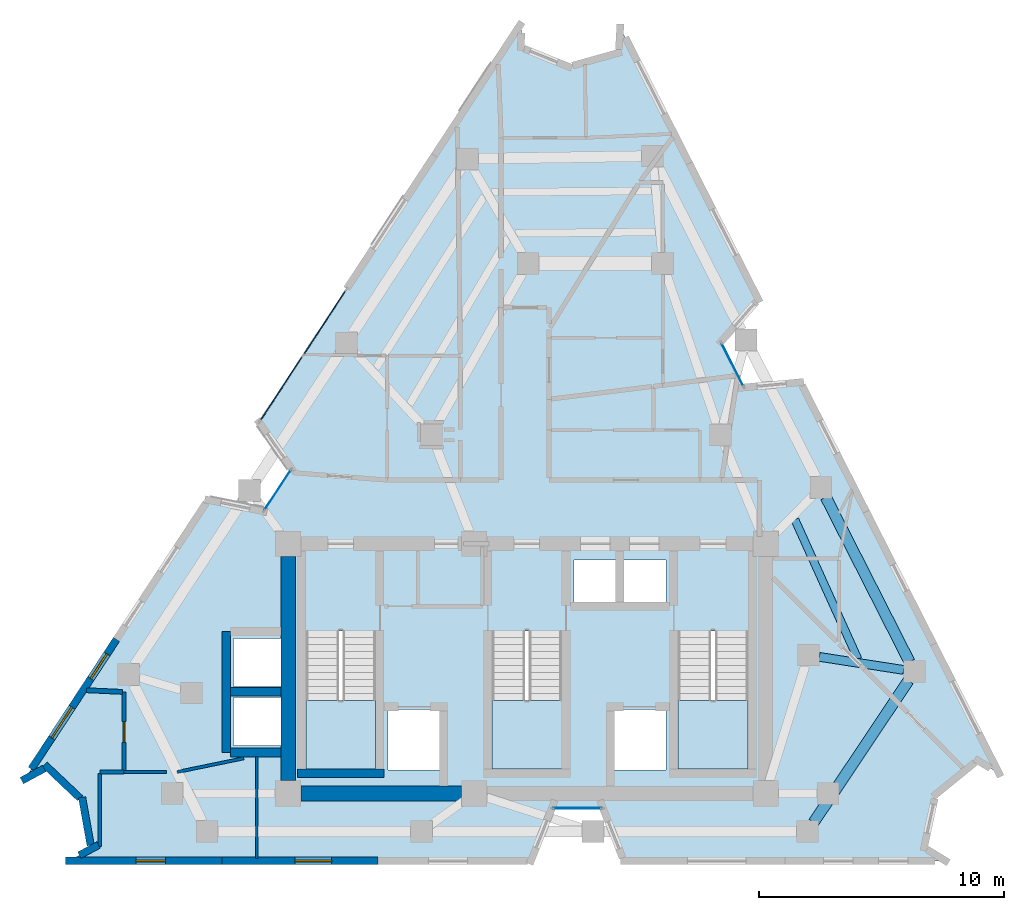
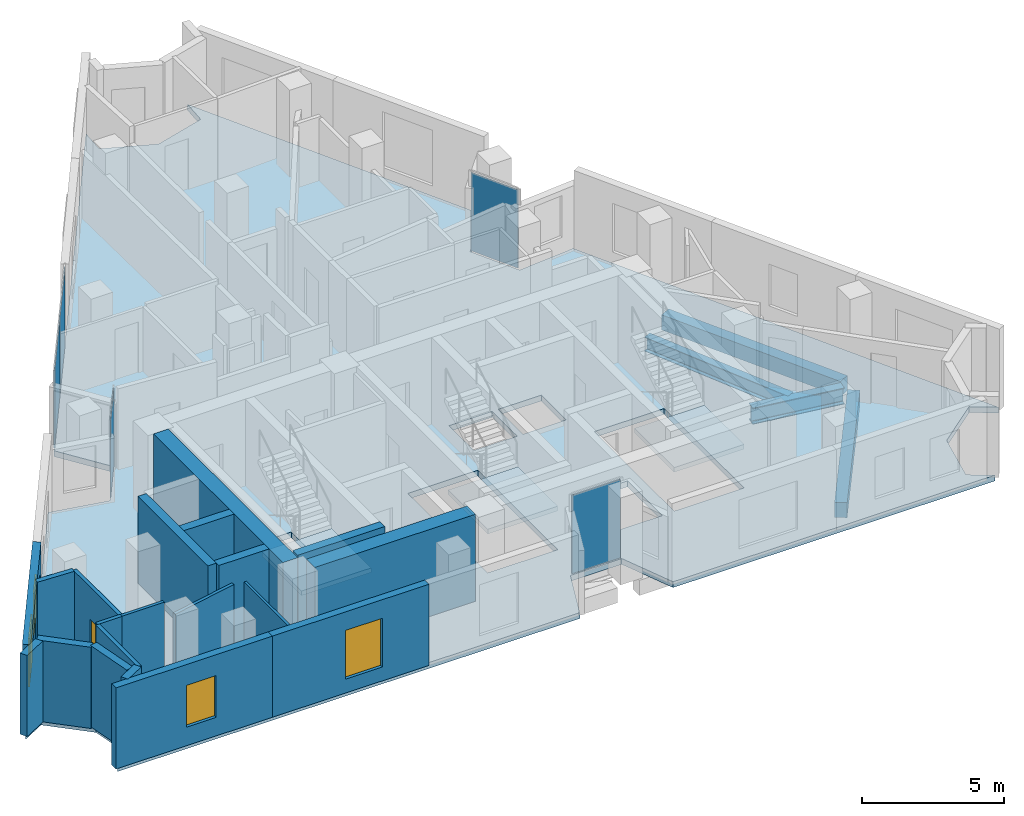
# One storey, part 4 of 9: 20 walls, 5 plates, 4 beams, 4 slabs, 4 windows, 1 door, 5 openings, 7 elements without a shape of their own.
"""IFC4 building model written with IfcOpenShell, lengths in metres."""

from ifc_helpers import new_model, si_unit, direction, frame, frame_2d, origin, origin_2d, place, context, subcontext, project, spatial, polyline, rectangle, i_section, outline, extrude, material, layer, layer_set, material_profile, profile_set, type_object, element, fill, aggregate, save


model = new_model("IFC4")

# Units and contexts
model_context = context("Model", 3, precision=1e-05, world=origin(), true_north=direction((0.0, 1.0)))
body_context = subcontext(model_context, "Body", "Model", "MODEL_VIEW")
ifc_project = project(units=[si_unit("LENGTHUNIT", "METRE"), si_unit("AREAUNIT", "SQUARE_METRE"), si_unit("VOLUMEUNIT", "CUBIC_METRE"), si_unit("PLANEANGLEUNIT", "RADIAN"), si_unit("MASSUNIT", "GRAM", prefix="KILO")], contexts=[model_context])

# Site, building, storey
site_placement = place(None, origin())
site = spatial("IfcSite", under=ifc_project, at=site_placement, CompositionType="ELEMENT")
building_placement = place(site_placement, origin())
building = spatial("IfcBuilding", under=site, at=building_placement, Name="Almagre Mirador Tower", CompositionType="ELEMENT")
storey_placement = place(building_placement, frame((0.0, 0.0, 244.5)))
storey = spatial("IfcBuildingStorey", under=building, at=storey_placement, Name="L63", CompositionType="ELEMENT", Elevation=244.5)

# Beams
ifc_material_1 = material(Name="Steel ASTM A992 Grade 50", Category="steel")
ifc_material_profile_1 = material_profile(ifc_material_1, i_section(OverallWidth=0.323974609375, OverallDepth=0.611083984375, WebThickness=0.0126953125, FlangeThickness=0.01904296875, FilletRadius=0.02001953125, at=origin_2d()), Name="W24X104")
ifc_profile_set_1 = profile_set([ifc_material_profile_1], Name="Steel ASTM A992 Grade 50")
beam_type_1 = type_object("IfcBeamType", Name="BM-JST-W24X104", PredefinedType="JOIST", material=ifc_profile_set_1)
beam_1_placement = place(storey_placement, frame((50.821533203125, 10.038330078125, -0.555419921875), z_axis=(-0.411985589516, 0.911190361029, 0.0), x_axis=(-0.911190361029, -0.411985589516, 0.0)))
element("IfcBeam", 1, at=beam_1_placement, inside=storey, type_object=beam_type_1, Name="L63 secondary floor joist PC05-PC06.2", PredefinedType="JOIST", context=body_context, shape_type="SweptSolid", body=[
    extrude(i_section(OverallWidth=0.323974609375, OverallDepth=0.611083984375, WebThickness=0.0126953125, FlangeThickness=0.01904296875, FilletRadius=0.02001953125, at=origin_2d()), origin(), (0.0, 0.0, 1.0), 6.247802734375),
])
ifc_material_2 = material(Name="Precast concrete C50/60", Category="concrete")
ifc_material_profile_2 = material_profile(ifc_material_2, rectangle(XDim=0.449951171875, YDim=0.64990234375, at=origin_2d()), Name="RC450X650")
ifc_profile_set_2 = profile_set([ifc_material_profile_2], Name="Precast concrete C50/60")
beam_type_2 = type_object("IfcBeamType", Name="BM-SPN-RC450X650", PredefinedType="SPANDREL", material=ifc_profile_set_2)
beam_2_placement = place(storey_placement, frame((49.01416015625, 3.3740234375, -0.574951171875), z_axis=(0.555688352968, 0.831390674939, 0.0), x_axis=(-0.831390674939, 0.555688352968, 0.0)))
element("IfcBeam", 2, at=beam_2_placement, inside=storey, type_object=beam_type_2, Name="L63 perimeter spandrel beam PC04-PC05", PredefinedType="SPANDREL", context=body_context, shape_type="SweptSolid", body=[
    extrude(rectangle(XDim=0.449951171875, YDim=0.64990234375, at=origin_2d()), origin(), (0.0, 0.0, 1.0), 6.953125),
])
beam_3_placement = place(storey_placement, frame((52.92431640625, 9.93017578125, -0.574951171875), z_axis=(-0.452920240804, 0.891551039184, 0.0), x_axis=(-0.891551039184, -0.452920240804, 0.0)))
element("IfcBeam", 3, at=beam_3_placement, inside=storey, type_object=beam_type_2, Name="L63 perimeter spandrel beam PC05-PC06", PredefinedType="SPANDREL", context=body_context, shape_type="SweptSolid", body=[
    extrude(rectangle(XDim=0.449951171875, YDim=0.64990234375, at=origin_2d()), origin(), (0.0, 0.0, 1.0), 7.53466796875),
])
ifc_material_3 = material(Name="Steel ASTM A992 Grade 50", Category="steel")
ifc_material_profile_3 = material_profile(ifc_material_3, i_section(OverallWidth=0.35791015625, OverallDepth=0.7060546875, WebThickness=0.018310546875, FlangeThickness=0.0302734375, FilletRadius=0.02197265625, at=origin_2d()), Name="W27X178")
ifc_profile_set_3 = profile_set([ifc_material_profile_3], Name="Steel ASTM A992 Grade 50")
beam_type_3 = type_object("IfcBeamType", Name="BM-STL-W27X178", PredefinedType="BEAM", material=ifc_profile_set_3)
beam_4_placement = place(storey_placement, frame((52.683349609375, 9.597900390625, -0.60302734375), z_axis=(-0.988190943166, 0.153227477449, 0.0), x_axis=(-0.153227477449, -0.988190943166, 0.0)))
element("IfcBeam", 4, at=beam_4_placement, inside=storey, type_object=beam_type_3, Name="L63 radial floor girder PC05-MC3", PredefinedType="BEAM", context=body_context, shape_type="SweptSolid", body=[
    extrude(i_section(OverallWidth=0.35791015625, OverallDepth=0.7060546875, WebThickness=0.018310546875, FlangeThickness=0.0302734375, FilletRadius=0.02197265625, at=origin_2d()), origin(), (0.0, 0.0, 1.0), 3.479736328125),
])

# Curtain wall, plate
ifc_material_4 = material(Name="Black anodized aluminium", Category="aluminium")
ifc_layer_1 = layer(ifc_material_4, 0.169921875)
ifc_layer_set_1 = layer_set([ifc_layer_1], Name="Black anodized aluminium")
curtain_wall_type_1 = type_object("IfcCurtainWallType", Name="CW-CRS-SYS", PredefinedType="NOTDEFINED", material=ifc_layer_set_1)
curtain_wall_1_placement = place(storey_placement, origin())
curtain_wall_1 = element("IfcCurtainWall", 5, at=curtain_wall_1_placement, inside=storey, type_object=curtain_wall_type_1, Name="L63 vertical crease curtain wall 01", PredefinedType="NOTDEFINED")
ifc_material_5 = material(Name="Dark solar-control laminated hurricane glass", Category="glass")
ifc_layer_2 = layer(ifc_material_5, 0.028076171875)
ifc_layer_set_2 = layer_set([ifc_layer_2], Name="Dark solar-control laminated hurricane glass")
plate_type_1 = type_object("IfcPlateType", Name="PLT-GLZ-28", PredefinedType="CURTAIN_PANEL", material=ifc_layer_set_2)
plate_1_placement = place(storey_placement, frame((27.12255859375, 16.946533203125, 0.06005859375), z_axis=(0.0, 0.0, 1.0), x_axis=(0.548834109267, 0.835931289344, 0.0)))
plate_1 = element("IfcPlate", 6, at=plate_1_placement, type_object=plate_type_1, Name="CW-4 panel 1.1", PredefinedType="CURTAIN_PANEL", context=body_context, shape_type="SweptSolid", body=[
    extrude(rectangle(XDim=1.969970703125, YDim=0.028076171875, at=origin_2d()), origin(), (0.0, 0.0, 1.0), 3.3798828125),
])
aggregate(curtain_wall_1, [plate_1])

curtain_wall_2_placement = place(storey_placement, origin())
curtain_wall_2 = element("IfcCurtainWall", 7, at=curtain_wall_2_placement, inside=storey, type_object=curtain_wall_type_1, Name="L63 vertical crease curtain wall 03", PredefinedType="NOTDEFINED")
plate_2_placement = place(storey_placement, frame((45.695068359375, 22.0634765625, 0.06005859375), z_axis=(0.0, 0.0, 1.0), x_axis=(0.452756754504, -0.891634073626, 0.0)))
plate_2 = element("IfcPlate", 8, at=plate_2_placement, type_object=plate_type_1, Name="CW-4 panel 1.1", PredefinedType="CURTAIN_PANEL", context=body_context, shape_type="SweptSolid", body=[
    extrude(rectangle(XDim=1.969482421875, YDim=0.028076171875, at=origin_2d()), origin(), (0.0, 0.0, 1.0), 3.3798828125),
])
aggregate(curtain_wall_2, [plate_2])

curtain_wall_3_placement = place(storey_placement, origin())
curtain_wall_3 = element("IfcCurtainWall", 9, at=curtain_wall_3_placement, inside=storey, type_object=curtain_wall_type_1, Name="L63 vertical crease curtain wall 04", PredefinedType="NOTDEFINED")
plate_3_placement = place(storey_placement, frame((39.364013671875, 3.949951171875, 0.06005859375), z_axis=(0.0, 0.0, 1.0), x_axis=(-1.0, 0.0, 0.0)))
plate_3 = element("IfcPlate", 10, at=plate_3_placement, type_object=plate_type_1, Name="CW-4 panel 1.1", PredefinedType="CURTAIN_PANEL", context=body_context, shape_type="SweptSolid", body=[
    extrude(rectangle(XDim=1.969970703125, YDim=0.028076171875, at=origin_2d()), origin(), (0.0, 0.0, 1.0), 3.3798828125),
])
aggregate(curtain_wall_3, [plate_3])

# Curtain wall, plates
ifc_material_6 = material(Name="Black anodized aluminium", Category="aluminium")
ifc_layer_3 = layer(ifc_material_6, 0.199951171875)
ifc_layer_set_3 = layer_set([ifc_layer_3], Name="Black anodized aluminium")
curtain_wall_type_2 = type_object("IfcCurtainWallType", Name="CW-RES-H-SYS", PredefinedType="NOTDEFINED", material=ifc_layer_set_3)
curtain_wall_4_placement = place(storey_placement, origin())
curtain_wall_4 = element("IfcCurtainWall", 11, at=curtain_wall_4_placement, inside=storey, type_object=curtain_wall_type_2, Name="L63 curtain wall run 02", PredefinedType="NOTDEFINED")
ifc_material_7 = material(Name="Dark solar-control laminated hurricane glass", Category="glass")
ifc_layer_4 = layer(ifc_material_7, 0.035888671875)
ifc_layer_set_4 = layer_set([ifc_layer_4], Name="Dark solar-control laminated hurricane glass")
plate_type_2 = type_object("IfcPlateType", Name="PLT-GLZ-36", PredefinedType="CURTAIN_PANEL", material=ifc_layer_set_4)
plate_4_placement = place(storey_placement, frame((27.2724609375, 21.09033203125, 0.06494140625), z_axis=(0.0, 0.0, 1.0), x_axis=(0.54903275469, 0.835800834097, 0.0)))
plate_4 = element("IfcPlate", 12, at=plate_4_placement, type_object=plate_type_2, Name="CW-3 panel 1.1", PredefinedType="CURTAIN_PANEL", context=body_context, shape_type="SweptSolid", body=[
    extrude(rectangle(XDim=3.1611328125, YDim=0.035888671875, at=origin_2d()), origin(), (0.0, 0.0, 1.0), 3.3701171875),
])
plate_5_placement = place(storey_placement, frame((29.043701171875, 23.786865234375, 0.06494140625), z_axis=(0.0, 0.0, 1.0), x_axis=(0.54903275469, 0.835800834097, 0.0)))
plate_5 = element("IfcPlate", 13, at=plate_5_placement, type_object=plate_type_2, Name="CW-3 panel 2.1", PredefinedType="CURTAIN_PANEL", context=body_context, shape_type="SweptSolid", body=[
    extrude(rectangle(XDim=3.1611328125, YDim=0.035888671875, at=origin_2d()), origin(), (0.0, 0.0, 1.0), 3.3701171875),
])
aggregate(curtain_wall_4, [plate_4, plate_5])

# Slab
ifc_material_8 = material(Name="Concrete C45/55", Category="concrete")
ifc_layer_5 = layer(ifc_material_8, 0.25)
ifc_layer_set_5 = layer_set([ifc_layer_5], Name="Concrete C45/55")
slab_type_1 = type_object("IfcSlabType", Name="SLB-FLR-250", PredefinedType="FLOOR", material=ifc_layer_set_5)
slab_1_placement = place(storey_placement, frame((0.0, 0.0, -0.25)))
element("IfcSlab", 14, at=slab_1_placement, inside=storey, type_object=slab_type_1, Name="L63 structural floor slab", PredefinedType="FLOOR", context=body_context, shape_type="SweptSolid", body=[
    extrude(outline(polyline([(16.7958984375, 5.14306640625), (17.70703125, 5.635009765625), (19.158935546875, 4.260009765625), (19.510986328125, 2.291015625), (18.60009765625, 1.800048828125), (37.464111328125, 1.800048828125), (38.319091796875, 3.949951171875), (40.408935546875, 3.949951171875), (41.263916015625, 1.800048828125), (54.39990234375, 1.800048828125), (53.51806640625, 2.341064453125), (53.985107421875, 4.509033203125), (55.7060546875, 5.907958984375), (56.587890625, 5.365966796875), (48.471923828125, 21.343017578125), (46.16796875, 21.132080078125), (45.221923828125, 22.9951171875), (46.7509765625, 24.73095703125), (41.112060546875, 35.833984375), (41.053955078125, 34.800048828125), (39.011962890625, 34.22802734375), (37.0458984375, 35.02294921875), (37.10400390625, 36.056884765625), (26.368896484375, 19.715087890625), (27.696044921875, 17.820068359375), (26.549072265625, 16.072998046875), (24.281982421875, 16.5390625), (16.7958984375, 5.14306640625)]), holes=[polyline([(43.47509765625, 5.550048828125), (43.47509765625, 11.196044921875), (46.324951171875, 11.196044921875), (46.324951171875, 5.550048828125), (43.47509765625, 5.550048828125)]), polyline([(41.219970703125, 12.320068359375), (41.219970703125, 14.080078125), (42.97998046875, 14.080078125), (42.97998046875, 12.320068359375), (41.219970703125, 12.320068359375)]), polyline([(42.97998046875, 5.52001953125), (40.820068359375, 5.52001953125), (40.820068359375, 7.97998046875), (42.97998046875, 7.97998046875), (42.97998046875, 5.52001953125)]), polyline([(39.219970703125, 12.320068359375), (39.219970703125, 14.080078125), (40.97998046875, 14.080078125), (40.97998046875, 12.320068359375), (39.219970703125, 12.320068359375)]), polyline([(35.875, 5.550048828125), (35.875, 11.196044921875), (38.72509765625, 11.196044921875), (38.72509765625, 5.550048828125), (35.875, 5.550048828125)]), polyline([(33.780029296875, 5.52001953125), (31.6201171875, 5.52001953125), (31.6201171875, 7.97998046875), (33.780029296875, 7.97998046875), (33.780029296875, 5.52001953125)]), polyline([(28.27490234375, 5.550048828125), (28.27490234375, 11.196044921875), (31.125, 11.196044921875), (31.125, 5.550048828125), (28.27490234375, 5.550048828125)]), polyline([(27.3798828125, 6.52001953125), (25.320068359375, 6.52001953125), (25.320068359375, 8.47998046875), (27.3798828125, 8.47998046875), (27.3798828125, 6.52001953125)]), polyline([(27.3798828125, 8.919921875), (25.320068359375, 8.919921875), (25.320068359375, 10.8798828125), (27.3798828125, 10.8798828125), (27.3798828125, 8.919921875)])]), origin(), (0.0, 0.0, 1.0), 0.25),
])

# Stair, slab
ifc_material_9 = material(Name="Concrete C45/55", Category="concrete")
stair_type = type_object("IfcStairType", Name="STR-DL-3750", PredefinedType="HALF_TURN_STAIR", material=ifc_material_9)
stair_1_placement = place(storey_placement, origin())
stair_1 = element("IfcStair", 15, at=stair_1_placement, inside=storey, type_object=stair_type, Name="L63 Protected exit stair ST-1", PredefinedType="HALF_TURN_STAIR")
ifc_material_10 = material(Name="Concrete C45/55", Category="concrete")
ifc_layer_6 = layer(ifc_material_10, 0.199951171875)
ifc_layer_set_6 = layer_set([ifc_layer_6], Name="Concrete C45/55")
slab_type_2 = type_object("IfcSlabType", Name="SLB-LND-200", PredefinedType="LANDING", material=ifc_layer_set_6)
slab_2_placement = place(storey_placement, frame((0.0, 0.0, 1.675048828125)))
slab_2 = element("IfcSlab", 16, at=slab_2_placement, type_object=slab_type_2, Name="ST-1 landing 1", PredefinedType="LANDING", context=body_context, shape_type="SweptSolid", body=[
    extrude(outline(polyline([(28.27490234375, 8.35009765625), (28.27490234375, 5.550048828125), (31.125, 5.550048828125), (31.125, 8.35009765625), (28.27490234375, 8.35009765625)])), origin(), (0.0, 0.0, 1.0), 0.199951171875),
])
aggregate(stair_1, [slab_2])

stair_2_placement = place(storey_placement, origin())
stair_2 = element("IfcStair", 17, at=stair_2_placement, inside=storey, type_object=stair_type, Name="L63 Protected exit stair ST-2", PredefinedType="HALF_TURN_STAIR")
slab_3_placement = place(storey_placement, frame((0.0, 0.0, 1.675048828125)))
slab_3 = element("IfcSlab", 18, at=slab_3_placement, type_object=slab_type_2, Name="ST-2 landing 1", PredefinedType="LANDING", context=body_context, shape_type="SweptSolid", body=[
    extrude(outline(polyline([(35.875, 8.35009765625), (35.875, 5.550048828125), (38.72509765625, 5.550048828125), (38.72509765625, 8.35009765625), (35.875, 8.35009765625)])), origin(), (0.0, 0.0, 1.0), 0.199951171875),
])
aggregate(stair_2, [slab_3])

stair_3_placement = place(storey_placement, origin())
stair_3 = element("IfcStair", 19, at=stair_3_placement, inside=storey, type_object=stair_type, Name="L63 Protected exit stair ST-3", PredefinedType="HALF_TURN_STAIR")
slab_4_placement = place(storey_placement, frame((0.0, 0.0, 1.675048828125)))
slab_4 = element("IfcSlab", 20, at=slab_4_placement, type_object=slab_type_2, Name="ST-3 landing 1", PredefinedType="LANDING", context=body_context, shape_type="SweptSolid", body=[
    extrude(outline(polyline([(43.47509765625, 8.35009765625), (43.47509765625, 5.550048828125), (46.324951171875, 5.550048828125), (46.324951171875, 8.35009765625), (43.47509765625, 8.35009765625)])), origin(), (0.0, 0.0, 1.0), 0.199951171875),
])
aggregate(stair_3, [slab_4])

# Wall, opening, window
ifc_material_11 = material(Name="Precast concrete C50/60", Category="concrete")
ifc_layer_7 = layer(ifc_material_11, 0.300048828125)
ifc_layer_set_7 = layer_set([ifc_layer_7], Name="Precast concrete C50/60")
wall_type_1 = type_object("IfcWallType", Name="WAL-EXT-300", PredefinedType="SOLIDWALL", material=ifc_layer_set_7)
wall_1_placement = place(storey_placement, frame((31.22265625, 1.800048828125, 0.0), z_axis=(0.0, 0.0, 1.0), x_axis=(-1.0, 0.0, 0.0)))
wall_1 = element("IfcWall", 21, at=wall_1_placement, inside=storey, type_object=wall_type_1, Name="L63 expressed almagre precast frame wall 25", PredefinedType="SOLIDWALL", context=body_context, shape_type="SweptSolid", body=[
    extrude(rectangle(XDim=6.38134765625, YDim=0.300048828125, at=frame_2d((3.190673828125, 0.0))), origin(), (0.0, 0.0, 1.0), 3.5),
])
opening_1_placement = place(wall_1_placement, frame((1.89990234375, 0.0, 0.60009765625)))
opening_1 = element("IfcOpeningElement", 22, at=opening_1_placement, cuts=wall_1, Name="Opening WN-03", PredefinedType="OPENING", context=body_context, shape_type="SweptSolid", body=[
    extrude(rectangle(XDim=1.5, YDim=2.10009765625, at=frame_2d((0.75, 1.050048828125))), frame((0.0, 0.159902, 0.0), z_axis=(0.0, -1.0, 0.0), x_axis=(1.0, 0.0, 0.0)), (0.0, 0.0, 1.0), 0.320049),
])
ifc_material_12 = material(Name="Dark solar-control laminated hurricane glass", Category="glass")
window_type_1 = type_object("IfcWindowType", Name="WIN-1500X2100", PartitioningType="DOUBLE_PANEL_VERTICAL", PredefinedType="WINDOW", material=ifc_material_12)
window_1_placement = place(opening_1_placement, origin())
window_1 = element("IfcWindow", 23, at=window_1_placement, inside=storey, type_object=window_type_1, Name="L63 recessed hurricane window L63-UA-MB", OverallHeight=2.10009765625, OverallWidth=1.5, PartitioningType="SINGLE_PANEL", PredefinedType="WINDOW", context=body_context, shape_type="SweptSolid", body=[
    extrude(rectangle(XDim=1.5, YDim=2.10009765625, at=frame_2d((0.75, 1.050048828125))), frame((0.0, 0.030029296875, 0.0), z_axis=(0.0, -1.0, 0.0), x_axis=(1.0, 0.0, 0.0)), (0.0, 0.0, 1.0), 0.06005859375),
])
fill(opening_1, window_1)

wall_2_placement = place(storey_placement, frame((24.84130859375, 1.800048828125, 0.0), z_axis=(0.0, 0.0, 1.0), x_axis=(-1.0, 0.0, 0.0)))
wall_2 = element("IfcWall", 24, at=wall_2_placement, inside=storey, type_object=wall_type_1, Name="L63 expressed almagre precast frame wall 26", PredefinedType="SOLIDWALL", context=body_context, shape_type="SweptSolid", body=[
    extrude(rectangle(XDim=6.38134765625, YDim=0.300048828125, at=frame_2d((3.190673828125, 0.0))), origin(), (0.0, 0.0, 1.0), 3.5),
])
opening_2_placement = place(wall_2_placement, frame((2.300048828125, 0.0, 0.800048828125)))
opening_2 = element("IfcOpeningElement", 25, at=opening_2_placement, cuts=wall_2, Name="Opening WN-04", PredefinedType="OPENING", context=body_context, shape_type="SweptSolid", body=[
    extrude(rectangle(XDim=1.199951171875, YDim=1.800048828125, at=frame_2d((0.60009765625, 0.89990234375))), frame((0.0, 0.159902, 0.0), z_axis=(0.0, -1.0, 0.0), x_axis=(1.0, 0.0, 0.0)), (0.0, 0.0, 1.0), 0.320049),
])
ifc_material_13 = material(Name="Dark solar-control laminated hurricane glass", Category="glass")
window_type_2 = type_object("IfcWindowType", Name="WIN-1200X1800", PartitioningType="SINGLE_PANEL", PredefinedType="WINDOW", material=ifc_material_13)
window_2_placement = place(opening_2_placement, origin())
window_2 = element("IfcWindow", 26, at=window_2_placement, inside=storey, type_object=window_type_2, Name="L63 recessed hurricane window L63-UA-LV", OverallHeight=1.800048828125, OverallWidth=1.199951171875, PartitioningType="SINGLE_PANEL", PredefinedType="WINDOW", context=body_context, shape_type="SweptSolid", body=[
    extrude(rectangle(XDim=1.199951171875, YDim=1.800048828125, at=frame_2d((0.60009765625, 0.89990234375))), frame((0.0, 0.030029296875, 0.0), z_axis=(0.0, -1.0, 0.0), x_axis=(1.0, 0.0, 0.0)), (0.0, 0.0, 1.0), 0.06005859375),
])
fill(opening_2, window_2)

# Walls
wall_3_placement = place(storey_placement, frame((19.027099609375, 2.030029296875, 0.0), z_axis=(0.0, 0.0, 1.0), x_axis=(0.880197238834, 0.474608070674, 0.0)))
element("IfcWall", 27, at=wall_3_placement, inside=storey, type_object=wall_type_1, Name="L63 expressed almagre precast frame wall 27", PredefinedType="SOLIDWALL", context=body_context, shape_type="SweptSolid", body=[
    extrude(rectangle(XDim=0.887939453125, YDim=0.300048828125, at=frame_2d((0.44384765625, 0.0))), origin(), (0.0, 0.0, 1.0), 3.5),
])
wall_4_placement = place(storey_placement, frame((19.484619140625, 2.438720703125, 0.0), z_axis=(0.0, 0.0, 1.0), x_axis=(-0.175926512458, 0.984403302623, 0.0)))
element("IfcWall", 28, at=wall_4_placement, inside=storey, type_object=wall_type_1, Name="L63 expressed almagre precast frame wall 28", PredefinedType="SOLIDWALL", context=body_context, shape_type="SweptSolid", body=[
    extrude(rectangle(XDim=1.989990234375, YDim=0.300048828125, at=frame_2d((0.9951171875, 0.0))), origin(), (0.0, 0.0, 1.0), 3.5),
])
wall_5_placement = place(storey_placement, frame((19.0537109375, 4.359619140625, 0.0), z_axis=(0.0, 0.0, 1.0), x_axis=(-0.726119894398, 0.68756810496, 0.0)))
element("IfcWall", 29, at=wall_5_placement, inside=storey, type_object=wall_type_1, Name="L63 expressed almagre precast frame wall 29", PredefinedType="SOLIDWALL", context=body_context, shape_type="SweptSolid", body=[
    extrude(rectangle(XDim=1.994873046875, YDim=0.300048828125, at=frame_2d((0.99755859375, 0.0))), origin(), (0.0, 0.0, 1.0), 3.5),
])
wall_6_placement = place(storey_placement, frame((17.592529296875, 5.5732421875, 0.0), z_axis=(0.0, 0.0, 1.0), x_axis=(-0.879825313212, -0.475297189378, 0.0)))
element("IfcWall", 30, at=wall_6_placement, inside=storey, type_object=wall_type_1, Name="L63 expressed almagre precast frame wall 30", PredefinedType="SOLIDWALL", context=body_context, shape_type="SweptSolid", body=[
    extrude(rectangle(XDim=1.04541015625, YDim=0.300048828125, at=frame_2d((0.522705078125, 0.0))), origin(), (0.0, 0.0, 1.0), 3.5),
])

# Wall, openings, windows
wall_7_placement = place(storey_placement, frame((17.06494140625, 5.552490234375, 0.0), z_axis=(0.0, 0.0, 1.0), x_axis=(0.54904237545, 0.835794514196, 0.0)))
wall_7 = element("IfcWall", 31, at=wall_7_placement, inside=storey, type_object=wall_type_1, Name="L63 expressed almagre precast frame wall 31", PredefinedType="SOLIDWALL", context=body_context, shape_type="SweptSolid", body=[
    extrude(rectangle(XDim=6.32763671875, YDim=0.300048828125, at=frame_2d((3.163818359375, 0.0))), origin(), (0.0, 0.0, 1.0), 3.5),
])
opening_3_placement = place(wall_7_placement, frame((1.52001953125, 0.0, 0.60009765625)))
opening_3 = element("IfcOpeningElement", 32, at=opening_3_placement, cuts=wall_7, Name="Opening WN-03", PredefinedType="OPENING", context=body_context, shape_type="SweptSolid", body=[
    extrude(rectangle(XDim=1.5, YDim=2.10009765625, at=frame_2d((0.75, 1.050048828125))), frame((0.0, 0.159902, 0.0), z_axis=(0.0, -1.0, 0.0), x_axis=(1.0, 0.0, 0.0)), (0.0, 0.0, 1.0), 0.320049),
])
opening_4_placement = place(wall_7_placement, frame((4.419921875, 0.0, 0.800048828125)))
opening_4 = element("IfcOpeningElement", 33, at=opening_4_placement, cuts=wall_7, Name="Opening WN-04", PredefinedType="OPENING", context=body_context, shape_type="SweptSolid", body=[
    extrude(rectangle(XDim=1.199951171875, YDim=1.800048828125, at=frame_2d((0.60009765625, 0.89990234375))), frame((0.0, 0.159902, 0.0), z_axis=(0.0, -1.0, 0.0), x_axis=(1.0, 0.0, 0.0)), (0.0, 0.0, 1.0), 0.320049),
])
window_3_placement = place(opening_4_placement, origin())
window_3 = element("IfcWindow", 34, at=window_3_placement, inside=storey, type_object=window_type_2, Name="L63 recessed hurricane window L63-UD-KT", OverallHeight=1.800048828125, OverallWidth=1.199951171875, PartitioningType="SINGLE_PANEL", PredefinedType="WINDOW", context=body_context, shape_type="SweptSolid", body=[
    extrude(rectangle(XDim=1.199951171875, YDim=1.800048828125, at=frame_2d((0.60009765625, 0.89990234375))), frame((0.0, 0.030029296875, 0.0), z_axis=(0.0, -1.0, 0.0), x_axis=(1.0, 0.0, 0.0)), (0.0, 0.0, 1.0), 0.06005859375),
])
fill(opening_4, window_3)
window_4_placement = place(opening_3_placement, origin())
window_4 = element("IfcWindow", 35, at=window_4_placement, inside=storey, type_object=window_type_1, Name="L63 recessed hurricane window L63-UA-HB", OverallHeight=2.10009765625, OverallWidth=1.5, PartitioningType="SINGLE_PANEL", PredefinedType="WINDOW", context=body_context, shape_type="SweptSolid", body=[
    extrude(rectangle(XDim=1.5, YDim=2.10009765625, at=frame_2d((0.75, 1.050048828125))), frame((0.0, 0.030029296875, 0.0), z_axis=(0.0, -1.0, 0.0), x_axis=(1.0, 0.0, 0.0)), (0.0, 0.0, 1.0), 0.06005859375),
])
fill(opening_3, window_4)

# Walls
ifc_material_14 = material(Name="Gypsum acoustic stud partition", Category="other")
ifc_layer_8 = layer(ifc_material_14, 0.10009765625)
ifc_layer_set_8 = layer_set([ifc_layer_8], Name="Gypsum acoustic stud partition")
wall_type_2 = type_object("IfcWallType", Name="WAL-PRT-100-CLS", PredefinedType="PARTITIONING", material=ifc_layer_set_8)
wall_8_placement = place(storey_placement, frame((26.27001953125, 1.89990234375, 0.0), z_axis=(0.0, 0.0, 1.0), x_axis=(0.0, 1.0, 0.0)))
element("IfcWall", 36, at=wall_8_placement, inside=storey, type_object=wall_type_2, Name="L63 interior partition 020", PredefinedType="PARTITIONING", context=body_context, shape_type="SweptSolid", body=[
    extrude(rectangle(XDim=4.1650390625, YDim=0.10009765625, at=frame_2d((2.08251953125, 0.0))), origin(), (0.0, 0.0, 1.0), 2.68505859375),
])
ifc_material_15 = material(Name="Gypsum acoustic stud partition", Category="other")
ifc_layer_9 = layer(ifc_material_15, 0.125)
ifc_layer_set_9 = layer_set([ifc_layer_9], Name="Gypsum acoustic stud partition")
wall_type_3 = type_object("IfcWallType", Name="WAL-PRT-125-UTL", PredefinedType="PARTITIONING", material=ifc_layer_set_9)
wall_9_placement = place(storey_placement, frame((22.580078125, 5.429931640625, 0.0), z_axis=(0.0, 0.0, 1.0), x_axis=(-1.0, 0.0, 0.0)))
element("IfcWall", 37, at=wall_9_placement, inside=storey, type_object=wall_type_3, Name="L63 interior partition 018", PredefinedType="PARTITIONING", context=body_context, shape_type="SweptSolid", body=[
    extrude(rectangle(XDim=1.72998046875, YDim=0.125, at=frame_2d((0.864990234375, 0.0))), origin(), (0.0, 0.0, 1.0), 3.5),
])
wall_10_placement = place(storey_placement, frame((25.736083984375, 5.989990234375, 0.0), z_axis=(0.0, 0.0, 1.0), x_axis=(-0.979395116574, -0.201953473926, 0.0)))
element("IfcWall", 38, at=wall_10_placement, inside=storey, type_object=wall_type_3, Name="L63 interior partition 019", PredefinedType="PARTITIONING", context=body_context, shape_type="SweptSolid", body=[
    extrude(rectangle(XDim=2.773193359375, YDim=0.125, at=frame_2d((1.38671875, 0.0))), origin(), (0.0, 0.0, 1.0), 2.820068359375),
])
ifc_material_16 = material(Name="Gypsum acoustic stud partition", Category="other")
ifc_layer_10 = layer(ifc_material_16, 0.14990234375)
ifc_layer_set_10 = layer_set([ifc_layer_10], Name="Gypsum acoustic stud partition")
wall_type_4 = type_object("IfcWallType", Name="WAL-PRT-150-STD", PredefinedType="PARTITIONING", material=ifc_layer_set_10)
wall_11_placement = place(storey_placement, frame((20.85009765625, 5.429931640625, 0.0), z_axis=(0.0, 0.0, 1.0), x_axis=(-1.0, 0.0, 0.0)))
element("IfcWall", 39, at=wall_11_placement, inside=storey, type_object=wall_type_4, Name="L63 interior partition 016", PredefinedType="PARTITIONING", context=body_context, shape_type="SweptSolid", body=[
    extrude(rectangle(XDim=0.989990234375, YDim=0.14990234375, at=frame_2d((0.4951171875, 0.0))), origin(), (0.0, 0.0, 1.0), 3.5),
])
wall_12_placement = place(storey_placement, frame((19.860107421875, 5.3701171875, 0.0), z_axis=(0.0, 0.0, 1.0), x_axis=(-0.002700702157, -0.999996353097, 0.0)))
element("IfcWall", 40, at=wall_12_placement, inside=storey, type_object=wall_type_4, Name="L63 interior partition 017", PredefinedType="PARTITIONING", context=body_context, shape_type="SweptSolid", body=[
    extrude(rectangle(XDim=2.983154296875, YDim=0.14990234375, at=frame_2d((1.49169921875, 0.0))), origin(), (0.0, 0.0, 1.0), 3.5),
])

# Wall, opening, door
wall_13_placement = place(storey_placement, frame((20.85009765625, 5.489990234375, 0.0), z_axis=(0.0, 0.0, 1.0), x_axis=(0.0, 1.0, 0.0)))
wall_13 = element("IfcWall", 41, at=wall_13_placement, inside=storey, type_object=wall_type_4, Name="L63 interior partition 021", PredefinedType="PARTITIONING", context=body_context, shape_type="SweptSolid", body=[
    extrude(rectangle(XDim=3.2099609375, YDim=0.14990234375, at=frame_2d((1.60498046875, 0.0))), origin(), (0.0, 0.0, 1.0), 3.5),
])
opening_5_placement = place(wall_13_placement, frame((1.14990234375, 0.0, 0.0)))
opening_5 = element("IfcOpeningElement", 42, at=opening_5_placement, cuts=wall_13, Name="Opening UD-04", PredefinedType="OPENING", context=body_context, shape_type="SweptSolid", body=[
    extrude(rectangle(XDim=0.85009765625, YDim=2.10009765625, at=frame_2d((0.425048828125, 1.050048828125))), frame((0.0, 0.084951, 0.0), z_axis=(0.0, -1.0, 0.0), x_axis=(1.0, 0.0, 0.0)), (0.0, 0.0, 1.0), 0.169902),
])
ifc_material_17 = material(Name="Moisture-resistant oak timber", Category="wood")
door_type = type_object("IfcDoorType", Name="DOR-UNR-850X2100", OperationType="NOTDEFINED", PredefinedType="DOOR", material=ifc_material_17)
door_placement = place(opening_5_placement, origin())
door = element("IfcDoor", 43, at=door_placement, inside=storey, type_object=door_type, Name="DR-1940 L63 interior door L63-UA-HB to L63-UA-KT", OperationType="SINGLE_SWING_RIGHT", OverallHeight=2.10009765625, OverallWidth=0.85009765625, PredefinedType="DOOR", context=body_context, shape_type="SweptSolid", body=[
    extrude(rectangle(XDim=0.85009765625, YDim=2.10009765625, at=frame_2d((0.425048828125, 1.050048828125))), frame((0.0, 0.02490234375, 0.0), z_axis=(0.0, -1.0, 0.0), x_axis=(1.0, 0.0, 0.0)), (0.0, 0.0, 1.0), 0.050048828125),
])
fill(opening_5, door)

# Walls
ifc_material_18 = material(Name="Gypsum acoustic stud partition", Category="other")
ifc_layer_11 = layer(ifc_material_18, 0.199951171875)
ifc_layer_set_11 = layer_set([ifc_layer_11], Name="Gypsum acoustic stud partition")
wall_type_5 = type_object("IfcWallType", Name="WAL-PRT-200-EI60", PredefinedType="PARTITIONING", material=ifc_layer_set_11)
wall_14_placement = place(storey_placement, frame((20.7900390625, 8.700927734375, 0.0), z_axis=(0.0, 0.0, 1.0), x_axis=(-0.99892954963, 0.046257484539, 0.0)))
element("IfcWall", 44, at=wall_14_placement, inside=storey, type_object=wall_type_5, Name="L63 interior partition 022", PredefinedType="PARTITIONING", context=body_context, shape_type="SweptSolid", body=[
    extrude(rectangle(XDim=1.472412109375, YDim=0.199951171875, at=frame_2d((0.736328125, 0.0))), origin(), (0.0, 0.0, 1.0), 3.5),
])
ifc_material_19 = material(Name="Concrete C60/75", Category="concrete")
ifc_layer_12 = layer(ifc_material_19, 0.35009765625)
ifc_layer_set_12 = layer_set([ifc_layer_12], Name="Concrete C60/75")
wall_type_6 = type_object("IfcWallType", Name="WAL-SHF-350", PredefinedType="SOLIDWALL", material=ifc_layer_set_12)
wall_15_placement = place(storey_placement, frame((27.925048828125, 5.375, 0.0), z_axis=(0.0, 0.0, 1.0), x_axis=(1.0, 0.0, 0.0)))
element("IfcWall", 45, at=wall_15_placement, inside=storey, type_object=wall_type_6, Name="L63 shaft wall ST1-S", PredefinedType="SOLIDWALL", context=body_context, shape_type="SweptSolid", body=[
    extrude(rectangle(XDim=3.550048828125, YDim=0.35009765625, at=frame_2d((1.77490234375, 0.0))), origin(), (0.0, 0.0, 1.0), 3.75),
])
wall_16_placement = place(storey_placement, frame((25.02490234375, 6.22509765625, 0.0), z_axis=(0.0, 0.0, 1.0), x_axis=(0.0, 1.0, 0.0)))
element("IfcWall", 46, at=wall_16_placement, inside=storey, type_object=wall_type_6, Name="L63 shaft wall OL-W", PredefinedType="SOLIDWALL", context=body_context, shape_type="SweptSolid", body=[
    extrude(rectangle(XDim=4.949951171875, YDim=0.35009765625, at=frame_2d((2.47509765625, 0.0))), origin(), (0.0, 0.0, 1.0), 3.75),
])
for number, where, z_axis, x_axis, name in (
    (47, (25.199951171875, 6.22509765625, 0.0), (0.0, 0.0, 1.0), (1.0, 0.0, 0.0), "L63 shaft wall OL-S"),
    (48, (25.199951171875, 8.699951171875, 0.0), (0.0, 0.0, 1.0), (1.0, 0.0, 0.0), "L63 shaft wall OL-M"),
):
    element("IfcWall", number, at=place(storey_placement, frame(where, z_axis=z_axis, x_axis=x_axis)), inside=storey, type_object=wall_type_6, Name=name, PredefinedType="SOLIDWALL", context=body_context, shape_type="SweptSolid", body=[
        extrude(rectangle(XDim=2.050048828125, YDim=0.35009765625, at=frame_2d((1.02490234375, 0.0))), origin(), (0.0, 0.0, 1.0), 3.75),
    ])
ifc_material_20 = material(Name="Concrete C60/75", Category="concrete")
ifc_layer_13 = layer(ifc_material_20, 0.60009765625)
ifc_layer_set_13 = layer_set([ifc_layer_13], Name="Concrete C60/75")
wall_type_7 = type_object("IfcWallType", Name="WAL-SHR-600", PredefinedType="SHEAR", material=ifc_layer_set_13)
wall_17_placement = place(storey_placement, frame((28.074951171875, 4.550048828125, 0.0), z_axis=(0.0, 0.0, 1.0), x_axis=(1.0, 0.0, 0.0)))
element("IfcWall", 49, at=wall_17_placement, inside=storey, type_object=wall_type_7, Name="L63 core shear wall S1", PredefinedType="SHEAR", context=body_context, shape_type="SweptSolid", body=[
    extrude(rectangle(XDim=6.550048828125, YDim=0.60009765625, at=frame_2d((3.27490234375, 0.0))), origin(), (0.0, 0.0, 1.0), 3.75),
])
wall_18_placement = place(storey_placement, frame((27.550048828125, 5.074951171875, 0.0), z_axis=(0.0, 0.0, 1.0), x_axis=(0.0, 1.0, 0.0)))
element("IfcWall", 50, at=wall_18_placement, inside=storey, type_object=wall_type_7, Name="L63 core shear wall W1", PredefinedType="SHEAR", context=body_context, shape_type="SweptSolid", body=[
    extrude(rectangle(XDim=9.150146484375, YDim=0.60009765625, at=frame_2d((4.5751953125, 0.0))), origin(), (0.0, 0.0, 1.0), 3.75),
])

save(model, "model.ifc")
